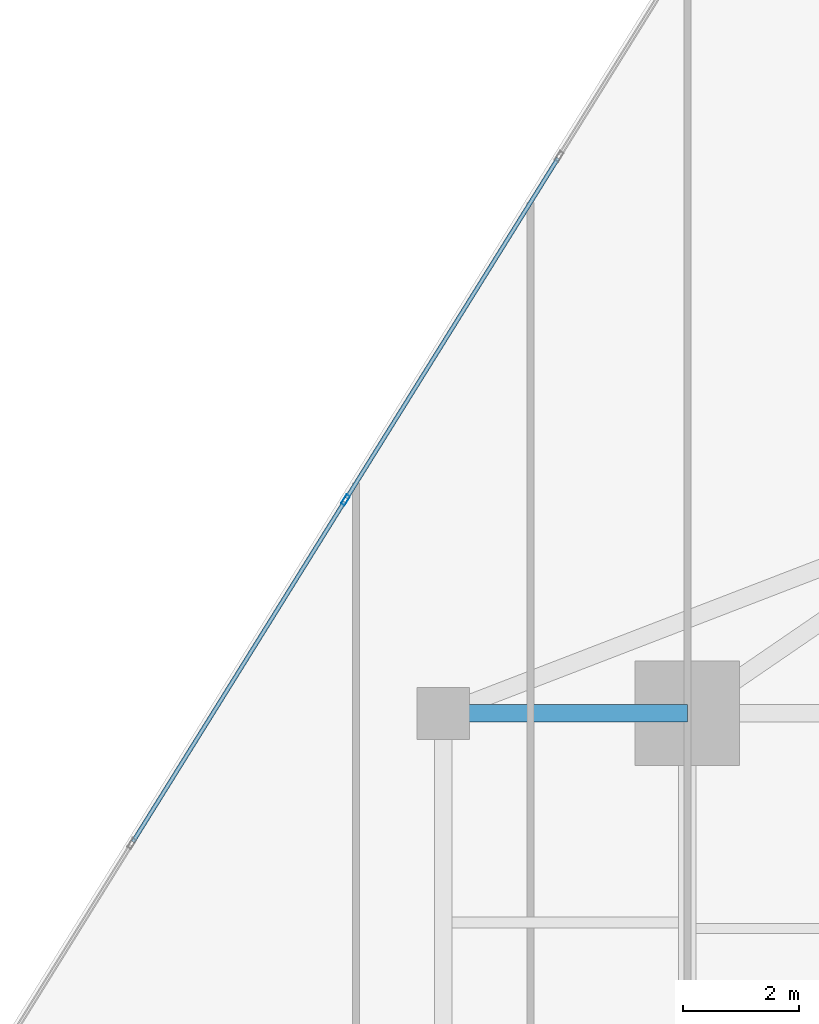
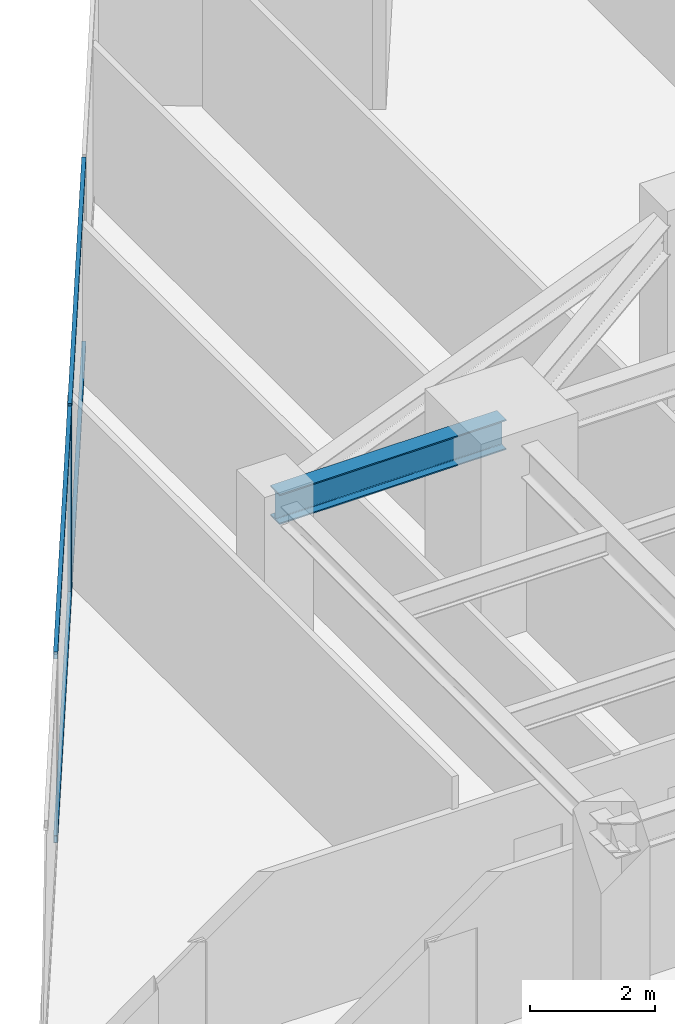
# One storey, part 13 of 26: 5 members, 1 beam, 1 element without a shape of its own.
"""IFC4 building model written with IfcOpenShell, lengths in metres."""

from ifc_helpers import new_model, si_unit, direction, frame, origin, origin_2d, place, context, subcontext, project, spatial, hollow_rectangle, i_section, extrude, source, transform, mapped, material, material_profile, profile_set, type_object, type_shapes, element, aggregate, save


model = new_model("IFC4")

# Units and contexts
model_context = context("Model", 3, precision=1e-05, world=origin(), true_north=direction((0.0, 1.0)))
body_context = subcontext(model_context, "Body", "Model", "MODEL_VIEW")
ifc_project = project(units=[si_unit("LENGTHUNIT", "METRE"), si_unit("AREAUNIT", "SQUARE_METRE"), si_unit("VOLUMEUNIT", "CUBIC_METRE"), si_unit("PLANEANGLEUNIT", "RADIAN"), si_unit("MASSUNIT", "GRAM", prefix="KILO")], contexts=[model_context])

# Site, building, storey
site_placement = place(None, origin())
site = spatial("IfcSite", under=ifc_project, at=site_placement, CompositionType="ELEMENT")
building_placement = place(site_placement, origin())
building = spatial("IfcBuilding", under=site, at=building_placement, Name="Krantzveldt Concourse Tower", CompositionType="ELEMENT")
storey_placement = place(building_placement, frame((0.0, 0.0, 173.85009765625)))
storey = spatial("IfcBuildingStorey", under=building, at=storey_placement, Name="L42", CompositionType="ELEMENT", Elevation=173.85009765625)

# Beam
ifc_material_1 = material(Name="Steel S355JR", Category="steel")
ifc_material_profile_1 = material_profile(ifc_material_1, i_section(OverallWidth=0.300048828125, OverallDepth=0.590087890625, WebThickness=0.012939453125, FlangeThickness=0.02490234375, FilletRadius=0.027099609375, at=origin_2d()), Name="Steel S355JR", Category="steel")
ifc_profile_set_1 = profile_set([ifc_material_profile_1], Name="Steel S355JR - HEA 600")
beam_type = type_object("IfcBeamType", Name="BM-B-HEA600", PredefinedType="BEAM", material=ifc_profile_set_1)
shared_shape_1 = source(origin(), body_context, "Body", "SweptSolid", [
    extrude(i_section(OverallWidth=0.300048828125, OverallDepth=0.590087890625, WebThickness=0.012939453125, FlangeThickness=0.02490234375, FilletRadius=0.027099609375, at=origin_2d()), origin(), (0.0, 0.0, 1.0), 4.199951171875),
])
type_shapes(beam_type, [shared_shape_1])
beam_placement = place(storey_placement, frame((21.0, 37.5, 3.375), z_axis=(1.0, 0.0, 0.0), x_axis=(0.0, 1.0, 0.0)))
element("IfcBeam", 1, at=beam_placement, inside=storey, type_object=beam_type, Name="L42 Tower Girder BR-RL3", PredefinedType="BEAM", context=body_context, shape_type="MappedRepresentation", body=[
    mapped(shared_shape_1, transform((0.0, 0.0, 0.0), x_axis=(1.0, 0.0, 0.0), y_axis=(0.0, 1.0, 0.0), z_axis=(0.0, 0.0, 1.0), scale=1.0)),
])

# Curtain wall, members
ifc_material_2 = material(Name="Anodised aluminium 6063-T6", Category="aluminium")
curtain_wall_type = type_object("IfcCurtainWallType", Name="CW3", PredefinedType="USERDEFINED", material=ifc_material_2)
curtain_wall_placement = place(storey_placement, origin())
curtain_wall = element("IfcCurtainWall", 2, at=curtain_wall_placement, inside=storey, type_object=curtain_wall_type, Name="CW-L42-F01", ObjectType="UNITISED CURTAIN WALL", PredefinedType="USERDEFINED")
ifc_material_profile_2 = material_profile(ifc_material_2, hollow_rectangle(XDim=0.070068359375, YDim=0.179931640625, WallThickness=0.0048828125, at=origin_2d()), Name="Anodised aluminium 6063-T6", Category="aluminium")
ifc_profile_set_2 = profile_set([ifc_material_profile_2], Name="Anodised aluminium 6063-T6 - ALU-MULL 180x70x5")
member_type_1 = type_object("IfcMemberType", Name="CW-MUL-180", PredefinedType="MULLION", material=ifc_profile_set_2)
shared_shape_2 = source(origin(), body_context, "Body", "SweptSolid", [
    extrude(hollow_rectangle(XDim=0.070068359375, YDim=0.179931640625, WallThickness=0.0048828125, at=origin_2d()), origin(), (0.0, 0.0, 1.0), 3.669921875),
])
type_shapes(member_type_1, [shared_shape_2])
member_1_placement = place(storey_placement, frame((19.316650390625, 41.17236328125, 0.0), z_axis=(0.0, 0.0, 1.0), x_axis=(0.84920214961, -0.528067901977, 0.0)))
member_1 = element("IfcMember", 3, at=member_1_placement, type_object=member_type_1, Name="CW-Z34 mullion 3", PredefinedType="MULLION", context=body_context, shape_type="MappedRepresentation", body=[
    mapped(shared_shape_2, transform((0.0, 0.0, 0.0), x_axis=(1.0, 0.0, 0.0), y_axis=(0.0, 1.0, 0.0), z_axis=(0.0, 0.0, 1.0), scale=1.0)),
])
ifc_material_profile_3 = material_profile(ifc_material_2, hollow_rectangle(XDim=0.070068359375, YDim=0.139892578125, WallThickness=0.0048828125, at=origin_2d()), Name="Anodised aluminium 6063-T6", Category="aluminium")
ifc_profile_set_3 = profile_set([ifc_material_profile_3], Name="Anodised aluminium 6063-T6 - ALU-TRAN 140x70x5")
member_type_2 = type_object("IfcMemberType", Name="CW-TRN-150", PredefinedType="USERDEFINED", material=ifc_profile_set_3)
shared_shape_3 = source(origin(), body_context, "Body", "SweptSolid", [
    extrude(hollow_rectangle(XDim=0.070068359375, YDim=0.139892578125, WallThickness=0.0048828125, at=origin_2d()), origin(), (0.0, 0.0, 1.0), 6.89013671875),
])
member_2_placement = place(storey_placement, frame((22.973388671875, 47.05322265625, 0.034912109375), z_axis=(-0.528067429464, -0.849202443437, 0.0), x_axis=(0.849202443437, -0.528067429464, 0.0)))
member_2 = element("IfcMember", 4, at=member_2_placement, type_object=member_type_2, Name="CW-Z34 transom 2.1", ObjectType="TRANSOM", PredefinedType="USERDEFINED", context=body_context, shape_type="MappedRepresentation", body=[
    mapped(shared_shape_3, transform((0.0, 0.0, 0.0), x_axis=(1.0, 0.0, 0.0), y_axis=(0.0, 1.0, 0.0), z_axis=(0.0, 0.0, 1.0), scale=1.0)),
])
member_3_placement = place(storey_placement, frame((22.973388671875, 47.05322265625, 3.635009765625), z_axis=(-0.528067429464, -0.849202443437, 0.0), x_axis=(0.849202443437, -0.528067429464, 0.0)))
member_3 = element("IfcMember", 5, at=member_3_placement, type_object=member_type_2, Name="CW-Z34 transom 2.2", ObjectType="TRANSOM", PredefinedType="USERDEFINED", context=body_context, shape_type="MappedRepresentation", body=[
    mapped(shared_shape_3, transform((0.0, 0.0, 0.0), x_axis=(1.0, 0.0, 0.0), y_axis=(0.0, 1.0, 0.0), z_axis=(0.0, 0.0, 1.0), scale=1.0)),
])
shared_shape_4 = source(origin(), body_context, "Body", "SweptSolid", [
    extrude(hollow_rectangle(XDim=0.070068359375, YDim=0.139892578125, WallThickness=0.0048828125, at=origin_2d()), origin(), (0.0, 0.0, 1.0), 6.889892578125),
])
type_shapes(member_type_2, [shared_shape_3, shared_shape_4])
member_4_placement = place(storey_placement, frame((19.298095703125, 41.142578125, 0.034912109375), z_axis=(-0.528083319572, -0.849192562138, 0.0), x_axis=(0.849192562138, -0.528083319572, 0.0)))
member_4 = element("IfcMember", 6, at=member_4_placement, type_object=member_type_2, Name="CW-Z34 transom 3.1", ObjectType="TRANSOM", PredefinedType="USERDEFINED", context=body_context, shape_type="MappedRepresentation", body=[
    mapped(shared_shape_4, transform((0.0, 0.0, 0.0), x_axis=(1.0, 0.0, 0.0), y_axis=(0.0, 1.0, 0.0), z_axis=(0.0, 0.0, 1.0), scale=1.0)),
])
member_5_placement = place(storey_placement, frame((19.298095703125, 41.142578125, 3.635009765625), z_axis=(-0.528083319572, -0.849192562138, 0.0), x_axis=(0.849192562138, -0.528083319572, 0.0)))
member_5 = element("IfcMember", 7, at=member_5_placement, type_object=member_type_2, Name="CW-Z34 transom 3.2", ObjectType="TRANSOM", PredefinedType="USERDEFINED", context=body_context, shape_type="MappedRepresentation", body=[
    mapped(shared_shape_4, transform((0.0, 0.0, 0.0), x_axis=(1.0, 0.0, 0.0), y_axis=(0.0, 1.0, 0.0), z_axis=(0.0, 0.0, 1.0), scale=1.0)),
])
aggregate(curtain_wall, [member_1, member_2, member_3, member_4, member_5])

save(model, "model.ifc")
